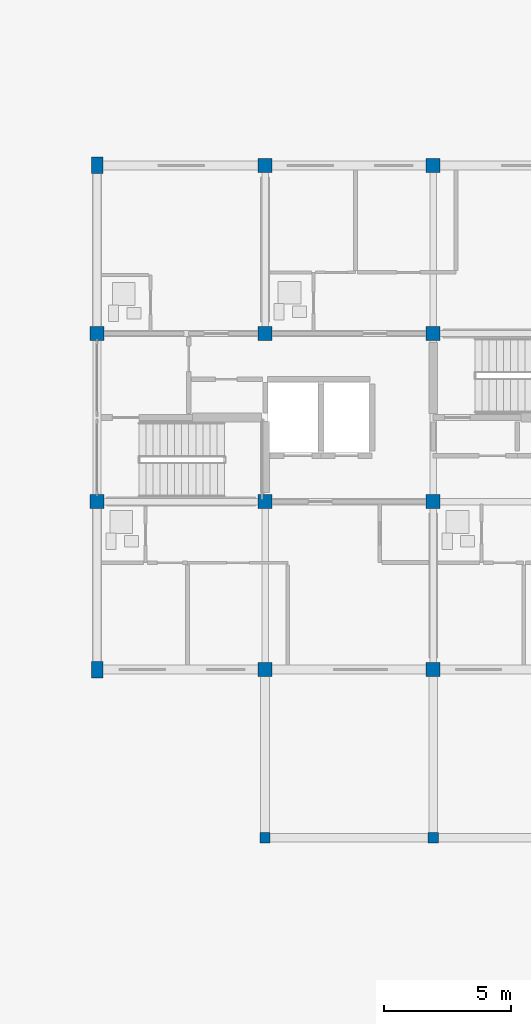
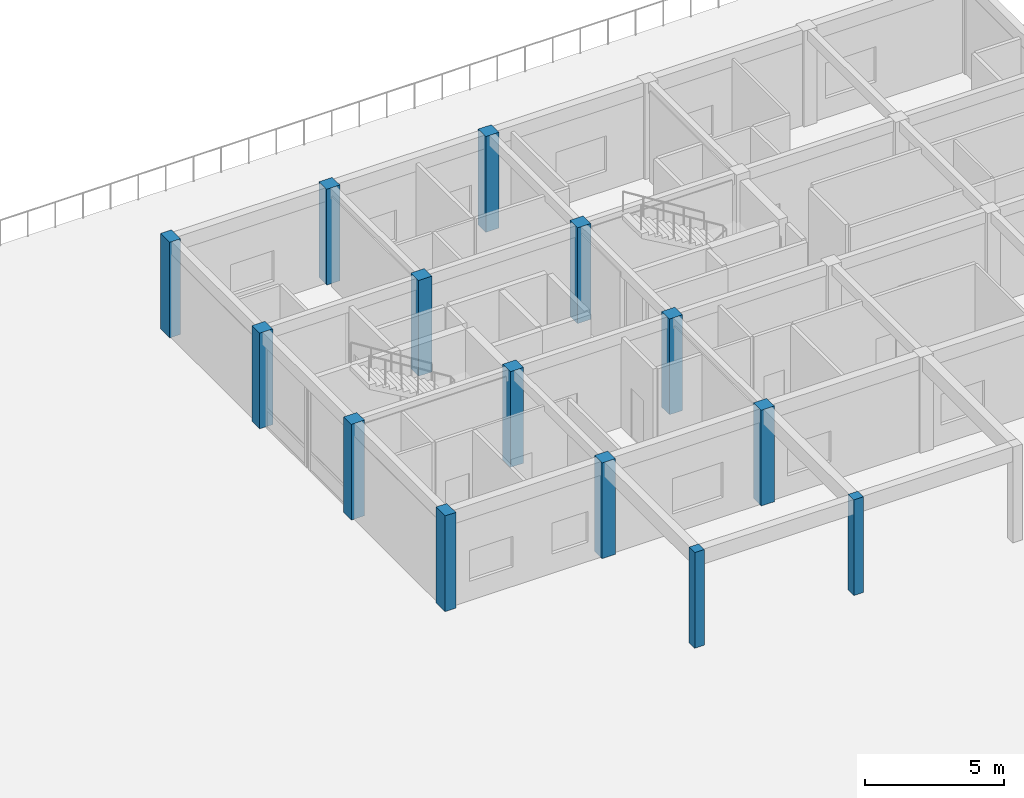
# One storey, part 8 of 92: 14 columns.
"""IFC4 building model written with IfcOpenShell, lengths in metres."""

from ifc_helpers import new_model, si_unit, direction, frame, origin, origin_2d, place, context, subcontext, project, spatial, rectangle, extrude, material, material_profile, profile_set, type_object, element, save


model = new_model("IFC4")

# Units and contexts
model_context = context("Model", 3, precision=1e-05, world=origin(), true_north=direction((0.0, 1.0)))
body_context = subcontext(model_context, "Body", "Model", "MODEL_VIEW")
ifc_project = project(units=[si_unit("LENGTHUNIT", "METRE"), si_unit("AREAUNIT", "SQUARE_METRE"), si_unit("VOLUMEUNIT", "CUBIC_METRE"), si_unit("PLANEANGLEUNIT", "RADIAN"), si_unit("MASSUNIT", "GRAM", prefix="KILO")], contexts=[model_context])

# Site, building, storey
site_placement = place(None, origin())
site = spatial("IfcSite", under=ifc_project, at=site_placement, CompositionType="ELEMENT")
building_placement = place(site_placement, origin())
building = spatial("IfcBuilding", under=site, at=building_placement, Name="Kernevlak Ridge Housing Community", CompositionType="ELEMENT")
storey_placement = place(building_placement, frame((0.0, 0.0, 4.199951171875)))
storey = spatial("IfcBuildingStorey", under=building, at=storey_placement, Name="L01", CompositionType="ELEMENT", Elevation=4.199951171875)

# Columns
ifc_material_1 = material(Name="Concrete C40/50", Category="concrete")
ifc_material_profile_1 = material_profile(ifc_material_1, rectangle(XDim=0.550048828125, YDim=0.550048828125, at=origin_2d()), Name="RC 550x550")
ifc_profile_set_1 = profile_set([ifc_material_profile_1], Name="Concrete C40/50")
column_type_1 = type_object("IfcColumnType", Name="C-02", PredefinedType="COLUMN", material=ifc_profile_set_1)
for number, where, z_axis, x_axis, name in (
    (1, (119.39990234375, 89.199951171875, 0.0), (0.0, 0.0, 1.0), (1.0, 0.0, 0.0), "Column C-02 COL-B-L01-00-1"),
    (2, (119.39990234375, 95.800048828125, 0.0), (0.0, 0.0, 1.0), (1.0, 0.0, 0.0), "Column C-02 COL-B-L01-00-2"),
    (3, (126.0, 82.60009765625, 0.0), (0.0, 0.0, 1.0), (1.0, 0.0, 0.0), "Column C-02 COL-B-L01-01-0"),
    (4, (126.0, 89.199951171875, 0.0), (0.0, 0.0, 1.0), (1.0, 0.0, 0.0), "Column C-02 COL-B-L01-01-1"),
    (5, (126.0, 95.800048828125, 0.0), (0.0, 0.0, 1.0), (1.0, 0.0, 0.0), "Column C-02 COL-B-L01-01-2"),
    (6, (126.0, 102.39990234375, 0.0), (0.0, 0.0, 1.0), (1.0, 0.0, 0.0), "Column C-02 COL-B-L01-01-3"),
    (7, (132.60009765625, 82.60009765625, 0.0), (0.0, 0.0, 1.0), (1.0, 0.0, 0.0), "Column C-02 COL-B-L01-02-0"),
    (8, (132.60009765625, 89.199951171875, 0.0), (0.0, 0.0, 1.0), (1.0, 0.0, 0.0), "Column C-02 COL-B-L01-02-1"),
    (9, (132.60009765625, 95.800048828125, 0.0), (0.0, 0.0, 1.0), (1.0, 0.0, 0.0), "Column C-02 COL-B-L01-02-2"),
    (10, (132.60009765625, 102.39990234375, 0.0), (0.0, 0.0, 1.0), (1.0, 0.0, 0.0), "Column C-02 COL-B-L01-02-3"),
):
    element("IfcColumn", number, at=place(storey_placement, frame(where, z_axis=z_axis, x_axis=x_axis)), inside=storey, type_object=column_type_1, Name=name, PredefinedType="COLUMN", context=body_context, shape_type="SweptSolid", body=[
        extrude(rectangle(XDim=0.550048828125, YDim=0.550048828125, at=origin_2d()), origin(), (0.0, 0.0, 1.0), 4.199951171875),
    ])
ifc_material_2 = material(Name="Concrete C35/45", Category="concrete")
ifc_material_profile_2 = material_profile(ifc_material_2, rectangle(XDim=0.39990234375, YDim=0.39990234375, at=origin_2d()), Name="RC 400x400")
ifc_profile_set_2 = profile_set([ifc_material_profile_2], Name="Concrete C35/45")
column_type_2 = type_object("IfcColumnType", Name="C-05", PredefinedType="COLUMN", material=ifc_profile_set_2)
for number, where, z_axis, x_axis, name in (
    (11, (126.0, 76.0, 0.0), (0.0, 0.0, 1.0), (1.0, 0.0, 0.0), "Column C-05 COL-NUR-L01-229"),
    (12, (132.60009765625, 76.0, 0.0), (0.0, 0.0, 1.0), (1.0, 0.0, 0.0), "Column C-05 COL-NUR-L01-237"),
):
    element("IfcColumn", number, at=place(storey_placement, frame(where, z_axis=z_axis, x_axis=x_axis)), inside=storey, type_object=column_type_2, Name=name, PredefinedType="COLUMN", context=body_context, shape_type="SweptSolid", body=[
        extrude(rectangle(XDim=0.39990234375, YDim=0.39990234375, at=origin_2d()), origin(), (0.0, 0.0, 1.0), 4.199951171875),
    ])
ifc_material_profile_3 = material_profile(ifc_material_1, rectangle(XDim=0.449951171875, YDim=0.64990234375, at=origin_2d()), Name="RC 450x650")
ifc_profile_set_3 = profile_set([ifc_material_profile_3], Name="Concrete C40/50")
column_type_3 = type_object("IfcColumnType", Name="C-08", PredefinedType="COLUMN", material=ifc_profile_set_3)
for number, where, z_axis, x_axis, name in (
    (13, (119.39990234375, 82.60009765625, 0.0), (0.0, 0.0, 1.0), (1.0, 0.0, 0.0), "Column C-08 COL-B-L01-00-0"),
    (14, (119.39990234375, 102.39990234375, 0.0), (0.0, 0.0, 1.0), (1.0, 0.0, 0.0), "Column C-08 COL-B-L01-00-3"),
):
    element("IfcColumn", number, at=place(storey_placement, frame(where, z_axis=z_axis, x_axis=x_axis)), inside=storey, type_object=column_type_3, Name=name, PredefinedType="COLUMN", context=body_context, shape_type="SweptSolid", body=[
        extrude(rectangle(XDim=0.449951171875, YDim=0.64990234375, at=origin_2d()), origin(), (0.0, 0.0, 1.0), 4.199951171875),
    ])

save(model, "model.ifc")
